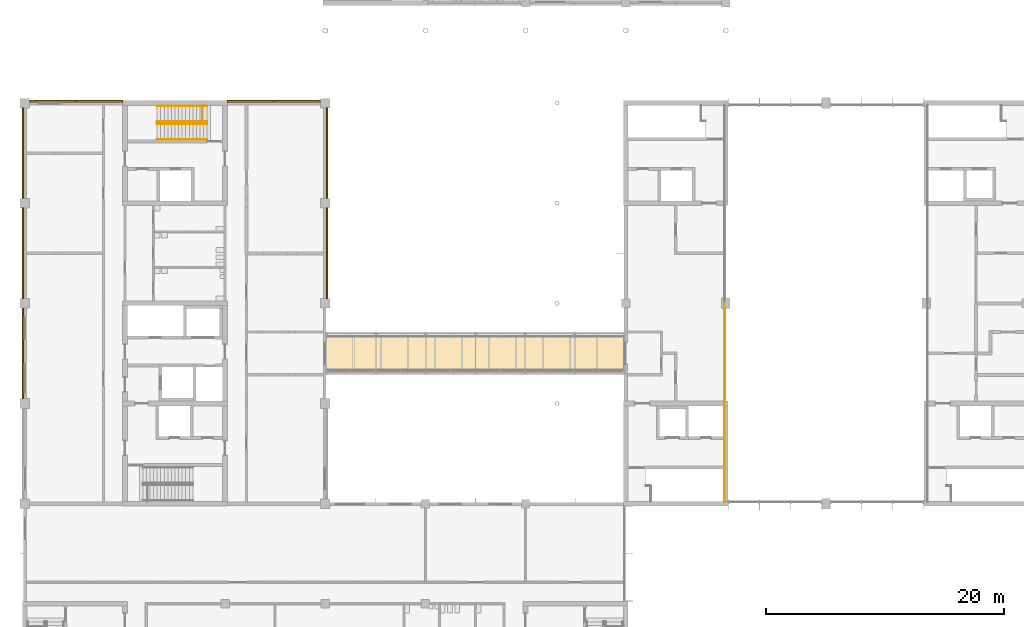
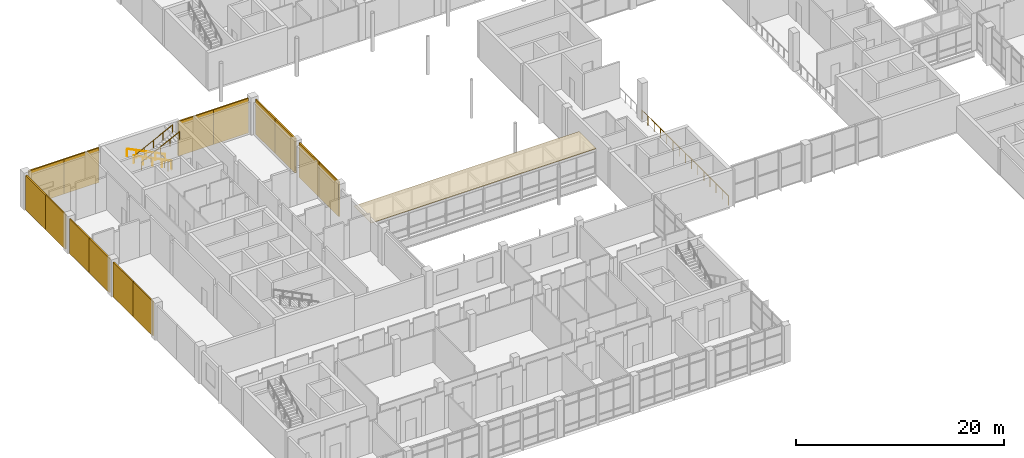
# One storey, part 59 of 70: 14 shading devices, 7 railings, 1 covering.
"""IFC4 building model written with IfcOpenShell, lengths in metres."""

from ifc_helpers import new_model, si_unit, direction, frame, origin, origin_2d, place, context, subcontext, project, spatial, polyline, rectangle, circle, outline, extrude, material, layer, layer_set, type_object, element, save


model = new_model("IFC4")

# Units and contexts
model_context = context("Model", 3, precision=1e-05, world=origin(), true_north=direction((0.0, 1.0)))
body_context = subcontext(model_context, "Body", "Model", "MODEL_VIEW")
ifc_project = project(units=[si_unit("LENGTHUNIT", "METRE"), si_unit("AREAUNIT", "SQUARE_METRE"), si_unit("VOLUMEUNIT", "CUBIC_METRE"), si_unit("PLANEANGLEUNIT", "RADIAN"), si_unit("MASSUNIT", "GRAM", prefix="KILO")], contexts=[model_context])

# Site, building, storey
site_placement = place(None, origin())
site = spatial("IfcSite", under=ifc_project, at=site_placement, CompositionType="ELEMENT")
building_placement = place(site_placement, origin())
building = spatial("IfcBuilding", under=site, at=building_placement, Name="Hlaing Beacon Police Headquarters", CompositionType="ELEMENT")
storey_placement = place(building_placement, frame((0.0, 0.0, 5.39990234375)))
storey = spatial("IfcBuildingStorey", under=building, at=storey_placement, Name="L01", CompositionType="ELEMENT", Elevation=5.39990234375)

# Covering
ifc_material_1 = material(Name="Bituminous roofing membrane")
ifc_layer_1 = layer(ifc_material_1, 0.050048828125)
ifc_layer_set_1 = layer_set([ifc_layer_1], Name="Bituminous roofing membrane")
covering_type = type_object("IfcCoveringType", Name="Bridge roofing 50", PredefinedType="ROOFING", material=ifc_layer_set_1)
covering_placement = place(storey_placement, frame((0.0, 0.0, 3.0)))
element("IfcCovering", 1, at=covering_placement, inside=storey, type_object=covering_type, Name="West court bridge roofing", PredefinedType="ROOFING", context=body_context, shape_type="SweptSolid", body=[
    extrude(outline(polyline([(33.675048828125, 44.549072265625), (58.64990234375, 44.549072265625), (58.64990234375, 47.850830078125), (33.675048828125, 47.850830078125), (33.675048828125, 44.549072265625)])), origin(), (0.0, 0.0, 1.0), 0.050048828125),
])

# Railings
ifc_material_2 = material(Name="Stainless steel", Category="steel")
railing_type_1 = type_object("IfcRailingType", Name="Guard 1100", PredefinedType="GUARDRAIL", material=ifc_material_2)
railing_1_placement = place(storey_placement, frame((67.10009765625, 33.75, 0.0)))
element("IfcRailing", 2, at=railing_1_placement, inside=storey, type_object=railing_type_1, Name="Guard L01 4", PredefinedType="GUARDRAIL", context=body_context, shape_type="SweptSolid", body=[
    extrude(circle(Radius=0.02392578125, at=origin_2d()), frame((0.0, 0.0, 1.076171875), z_axis=(0.0, 1.0, 0.0), x_axis=(-1.0, 0.0, 0.0)), (0.0, 0.0, 1.0), 8.25),
    extrude(circle(Radius=0.02099609375, at=origin_2d()), origin(), (0.0, 0.0, 1.0), 1.052001953125),
    extrude(circle(Radius=0.02099609375, at=origin_2d()), frame((0.0, 1.178466796875, 0.0)), (0.0, 0.0, 1.0), 1.052001953125),
    extrude(circle(Radius=0.02099609375, at=origin_2d()), frame((0.0, 2.357177734375, 0.0)), (0.0, 0.0, 1.0), 1.052001953125),
    extrude(circle(Radius=0.02099609375, at=origin_2d()), frame((0.0, 3.53564453125, 0.0)), (0.0, 0.0, 1.0), 1.052001953125),
    extrude(circle(Radius=0.02099609375, at=origin_2d()), frame((0.0, 4.71435546875, 0.0)), (0.0, 0.0, 1.0), 1.052001953125),
    extrude(circle(Radius=0.02099609375, at=origin_2d()), frame((0.0, 5.892822265625, 0.0)), (0.0, 0.0, 1.0), 1.052001953125),
    extrude(circle(Radius=0.02099609375, at=origin_2d()), frame((0.0, 7.071533203125, 0.0)), (0.0, 0.0, 1.0), 1.052001953125),
    extrude(circle(Radius=0.02099609375, at=origin_2d()), frame((0.0, 8.25, 0.0)), (0.0, 0.0, 1.0), 1.052001953125),
])
railing_2_placement = place(storey_placement, frame((67.10009765625, 42.0, 0.0)))
element("IfcRailing", 3, at=railing_2_placement, inside=storey, type_object=railing_type_1, Name="Guard L01 5", PredefinedType="GUARDRAIL", context=body_context, shape_type="SweptSolid", body=[
    extrude(circle(Radius=0.02392578125, at=origin_2d()), frame((0.0, 0.0, 1.076171875), z_axis=(0.0, 1.0, 0.0), x_axis=(-1.0, 0.0, 0.0)), (0.0, 0.0, 1.0), 8.39990234375),
    extrude(circle(Radius=0.02099609375, at=origin_2d()), origin(), (0.0, 0.0, 1.0), 1.052001953125),
    extrude(circle(Radius=0.02099609375, at=origin_2d()), frame((0.0, 1.199951171875, 0.0)), (0.0, 0.0, 1.0), 1.052001953125),
    extrude(circle(Radius=0.02099609375, at=origin_2d()), frame((0.0, 2.39990234375, 0.0)), (0.0, 0.0, 1.0), 1.052001953125),
    extrude(circle(Radius=0.02099609375, at=origin_2d()), frame((0.0, 3.599853515625, 0.0)), (0.0, 0.0, 1.0), 1.052001953125),
    extrude(circle(Radius=0.02099609375, at=origin_2d()), frame((0.0, 4.800048828125, 0.0)), (0.0, 0.0, 1.0), 1.052001953125),
    extrude(circle(Radius=0.02099609375, at=origin_2d()), frame((0.0, 6.0, 0.0)), (0.0, 0.0, 1.0), 1.052001953125),
    extrude(circle(Radius=0.02099609375, at=origin_2d()), frame((0.0, 7.199951171875, 0.0)), (0.0, 0.0, 1.0), 1.052001953125),
    extrude(circle(Radius=0.02099609375, at=origin_2d()), frame((0.0, 8.39990234375, 0.0)), (0.0, 0.0, 1.0), 1.052001953125),
])

# Shading devices
ifc_material_3 = material(Name="Perforated aluminium", Category="aluminium")
ifc_layer_2 = layer(ifc_material_3, 0.14990234375)
ifc_layer_set_2 = layer_set([ifc_layer_2], Name="Perforated aluminium")
shading_device_type = type_object("IfcShadingDeviceType", Name="Perforated screen panel 150", PredefinedType="JALOUSIE", material=ifc_layer_set_2)
for number, where, z_axis, x_axis, name in (
    (4, (8.25, 64.89990234375, 0.0), (0.0, 0.0, 1.0), (0.0, -1.0, 0.0), "Screen L01 W001"),
    (5, (8.25, 61.10009765625, 0.0), (0.0, 0.0, 1.0), (0.0, -1.0, 0.0), "Screen L01 W002"),
    (6, (8.25, 56.5, 0.0), (0.0, 0.0, 1.0), (0.0, -1.0, 0.0), "Screen L01 W003"),
    (7, (8.25, 52.699951171875, 0.0), (0.0, 0.0, 1.0), (0.0, -1.0, 0.0), "Screen L01 W004"),
    (8, (8.25, 48.10009765625, 0.0), (0.0, 0.0, 1.0), (0.0, -1.0, 0.0), "Screen L01 W005"),
    (9, (8.25, 44.300048828125, 0.0), (0.0, 0.0, 1.0), (0.0, -1.0, 0.0), "Screen L01 W006"),
    (10, (33.75, 52.699951171875, 0.0), (0.0, 0.0, 1.0), (0.0, 1.0, 0.0), "Screen L01 E011"),
    (11, (33.75, 56.5, 0.0), (0.0, 0.0, 1.0), (0.0, 1.0, 0.0), "Screen L01 E012"),
    (12, (33.75, 61.10009765625, 0.0), (0.0, 0.0, 1.0), (0.0, 1.0, 0.0), "Screen L01 E013"),
    (13, (33.75, 64.89990234375, 0.0), (0.0, 0.0, 1.0), (0.0, 1.0, 0.0), "Screen L01 E014"),
):
    element("IfcShadingDevice", number, at=place(storey_placement, frame(where, z_axis=z_axis, x_axis=x_axis)), inside=storey, type_object=shading_device_type, Name=name, PredefinedType="JALOUSIE", context=body_context, shape_type="SweptSolid", body=[
        extrude(rectangle(XDim=3.800048828125, YDim=0.14990234375, at=origin_2d()), origin(), (0.0, 0.0, 1.0), 4.070068359375),
    ])
for number, where, z_axis, x_axis, name in (
    (14, (31.25, 67.35009765625, 0.0), (0.0, 0.0, 1.0), (-1.0, 0.0, 0.0), "Screen L01 N015"),
    (15, (27.35009765625, 67.35009765625, 0.0), (0.0, 0.0, 1.0), (-1.0, 0.0, 0.0), "Screen L01 N016"),
    (16, (14.64990234375, 67.35009765625, 0.0), (0.0, 0.0, 1.0), (-1.0, 0.0, 0.0), "Screen L01 N017"),
    (17, (10.75, 67.35009765625, 0.0), (0.0, 0.0, 1.0), (-1.0, 0.0, 0.0), "Screen L01 N018"),
):
    element("IfcShadingDevice", number, at=place(storey_placement, frame(where, z_axis=z_axis, x_axis=x_axis)), inside=storey, type_object=shading_device_type, Name=name, PredefinedType="JALOUSIE", context=body_context, shape_type="SweptSolid", body=[
        extrude(rectangle(XDim=3.89990234375, YDim=0.14990234375, at=origin_2d()), origin(), (0.0, 0.0, 1.0), 4.070068359375),
    ])

# Railings
ifc_material_4 = material(Name="Stainless steel", Category="steel")
railing_type_2 = type_object("IfcRailingType", Name="Stair guard 1100", PredefinedType="GUARDRAIL", material=ifc_material_4)
railing_3_placement = place(storey_placement, frame((23.300048828125, 67.0, 0.0)))
element("IfcRailing", 18, at=railing_3_placement, inside=storey, type_object=railing_type_2, Name="Guard ST-P", PredefinedType="GUARDRAIL", context=body_context, shape_type="SweptSolid", body=[
    extrude(circle(Radius=0.02392578125, at=origin_2d()), frame((0.0, 0.0, 1.076171875), z_axis=(0.0, -1.0, 0.0), x_axis=(1.0, 0.0, 0.0)), (0.0, 0.0, 1.0), 1.39990234375),
    extrude(circle(Radius=0.02392578125, at=origin_2d()), frame((0.0, -1.39990234375, 1.076171875), z_axis=(1.0, 0.0, 0.0), x_axis=(0.0, 1.0, 0.0)), (0.0, 0.0, 1.0), 0.39990234375),
    extrude(circle(Radius=0.02099609375, at=origin_2d()), origin(), (0.0, 0.0, 1.0), 1.052001953125),
    extrude(circle(Radius=0.02099609375, at=origin_2d()), frame((0.0, -0.699951171875, 0.0)), (0.0, 0.0, 1.0), 1.052001953125),
    extrude(circle(Radius=0.02099609375, at=origin_2d()), frame((0.0, -1.39990234375, 0.0)), (0.0, 0.0, 1.0), 1.052001953125),
    extrude(circle(Radius=0.02099609375, at=origin_2d()), frame((0.39990234375, -1.39990234375, 0.0)), (0.0, 0.0, 1.0), 1.052001953125),
])
ifc_material_5 = material(Name="Stainless steel", Category="steel")
railing_type_3 = type_object("IfcRailingType", Name="Stair handrail 900", PredefinedType="HANDRAIL", material=ifc_material_5)
for number, where, name in (
    (19, (23.699951171875, 66.949951171875, 0.150146484375), "Handrail ST-P"),
    (20, (23.699951171875, 65.64990234375, 0.150146484375), "Handrail ST-P"),
):
    element("IfcRailing", number, at=place(storey_placement, frame(where)), inside=storey, type_object=railing_type_3, Name=name, PredefinedType="HANDRAIL", context=body_context, shape_type="SweptSolid", body=[
        extrude(circle(Radius=0.02392578125, at=origin_2d()), frame((0.0, 0.0, 0.8759765625), z_axis=(-0.894437589381, 0.0, 0.447192798132), x_axis=(0.0, -1.0, 0.0)), (0.0, 0.0, 1.0), 4.695556640625),
        extrude(circle(Radius=0.02099609375, at=origin_2d()), origin(), (0.0, 0.0, 1.0), 0.851806640625),
        extrude(circle(Radius=0.02099609375, at=origin_2d()), frame((-1.050048828125, 0.0, 0.52490234375)), (0.0, 0.0, 1.0), 0.851806640625),
        extrude(circle(Radius=0.02099609375, at=origin_2d()), frame((-2.10009765625, 0.0, 1.0498046875)), (0.0, 0.0, 1.0), 0.851806640625),
        extrude(circle(Radius=0.02099609375, at=origin_2d()), frame((-3.14990234375, 0.0, 1.574951171875)), (0.0, 0.0, 1.0), 0.851806640625),
        extrude(circle(Radius=0.02099609375, at=origin_2d()), frame((-4.199951171875, 0.0, 2.099853515625)), (0.0, 0.0, 1.0), 0.851806640625),
    ])
for number, where, name in (
    (21, (19.5, 65.449951171875, 2.400146484375), "Handrail ST-P"),
    (22, (19.5, 64.14990234375, 2.400146484375), "Handrail ST-P"),
):
    element("IfcRailing", number, at=place(storey_placement, frame(where)), inside=storey, type_object=railing_type_3, Name=name, PredefinedType="HANDRAIL", context=body_context, shape_type="SweptSolid", body=[
        extrude(circle(Radius=0.02392578125, at=origin_2d()), frame((0.0, 0.0, 0.8759765625), z_axis=(0.894437589381, 0.0, 0.447192798132), x_axis=(0.0, 1.0, 0.0)), (0.0, 0.0, 1.0), 4.695556640625),
        extrude(circle(Radius=0.02099609375, at=origin_2d()), origin(), (0.0, 0.0, 1.0), 0.851806640625),
        extrude(circle(Radius=0.02099609375, at=origin_2d()), frame((1.050048828125, 0.0, 0.52490234375)), (0.0, 0.0, 1.0), 0.851806640625),
        extrude(circle(Radius=0.02099609375, at=origin_2d()), frame((2.10009765625, 0.0, 1.0498046875)), (0.0, 0.0, 1.0), 0.851806640625),
        extrude(circle(Radius=0.02099609375, at=origin_2d()), frame((3.14990234375, 0.0, 1.574951171875)), (0.0, 0.0, 1.0), 0.851806640625),
        extrude(circle(Radius=0.02099609375, at=origin_2d()), frame((4.199951171875, 0.0, 2.099853515625)), (0.0, 0.0, 1.0), 0.851806640625),
    ])

save(model, "model.ifc")
